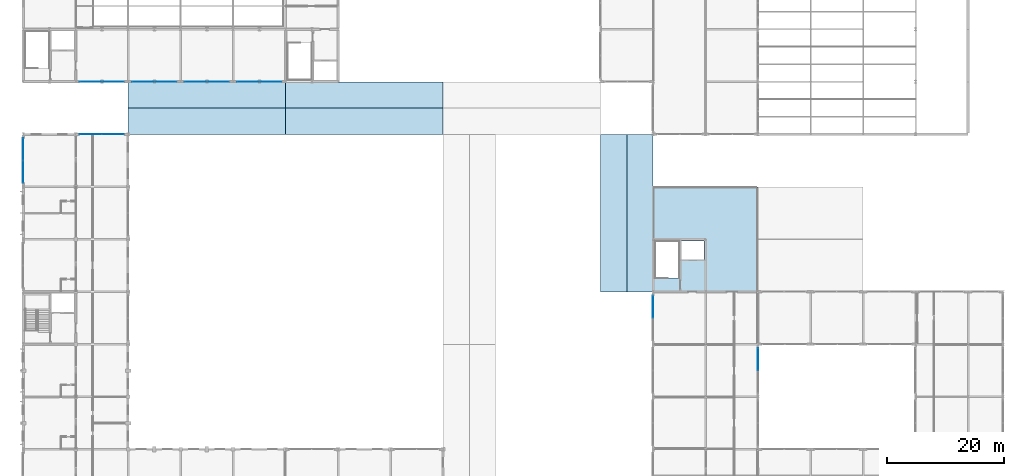
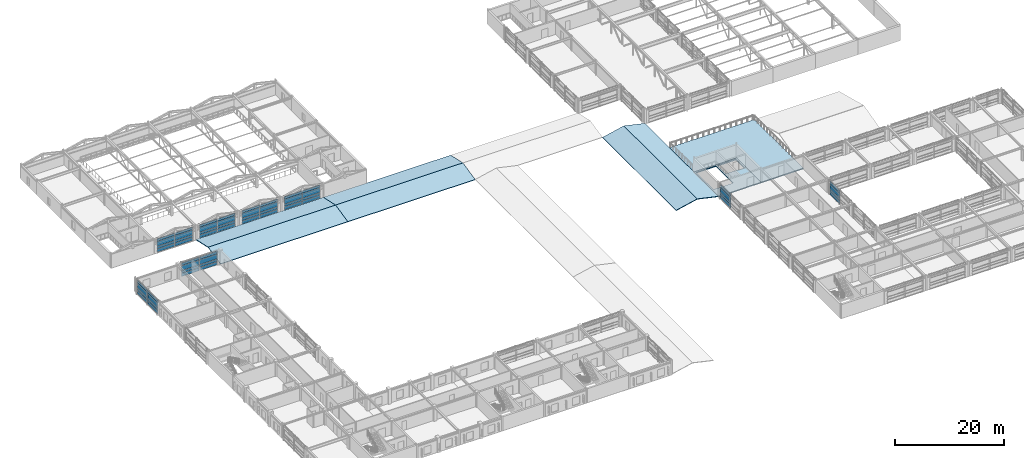
# One storey, part 64 of 91: 56 plates, 8 slabs, 8 elements without a shape of their own.
"""IFC4 building model written with IfcOpenShell, lengths in metres."""

import ifcopenshell
import ifcopenshell.guid

model = None  # the IFC model being written
_history = None  # IfcOwnerHistory: only IFC2X3 demands one
_inside = {}  # id of a spatial element -> (the spatial element, [elements in it])
_under = {}  # id of a project, library or spatial element -> (it, [spatial elements below it])
_declared = {}  # id of a project -> (the project, [libraries it declares])
_typed = {}  # id of a type object -> (the type object, [elements of that type])
_made_of = {}  # id of a material, layer set ... -> (it, [elements and type objects made of it])


def new_model(schema):
    """Start an empty IFC model of exactly this schema.

    Asked for "IFC4X3", IfcOpenShell would pick the latest addendum, in which some entities
    have other attributes; the version numbers below select the first issue.
    IFC2X3 requires an IfcOwnerHistory on every rooted entity: one is made here for all.
    """
    global model, _history
    if schema == "IFC4X3":
        model = ifcopenshell.file(schema_version=(4, 3, 0, 0))
    else:
        model = ifcopenshell.file(schema=schema)
    _inside.clear()
    _under.clear()
    _declared.clear()
    _typed.clear()
    _made_of.clear()
    _history = None
    if model.schema == "IFC2X3":
        org = make("IfcOrganization", Name="unknown")
        user = make(
            "IfcPersonAndOrganization",
            ThePerson=make("IfcPerson", FamilyName="unknown"),
            TheOrganization=org,
        )
        app = make(
            "IfcApplication",
            ApplicationDeveloper=org,
            Version="unknown",
            ApplicationFullName="unknown",
            ApplicationIdentifier="unknown",
        )
        _history = make(
            "IfcOwnerHistory",
            OwningUser=user,
            OwningApplication=app,
            ChangeAction="ADDED",
            CreationDate=0,
        )
    return model


def make(cls, **values):
    """One entity of the class cls with the attributes given. An attribute that is None is left unset."""
    return model.create_entity(
        cls, **{name: value for name, value in values.items() if value is not None}
    )


def rooted(cls, **values):
    """An entity with a GlobalId (a new one), such as an element, a storey or a relation."""
    return make(cls, GlobalId=ifcopenshell.guid.new(), OwnerHistory=_history, **values)


def si_unit(unit_type, name, prefix=None):
    """IfcSIUnit, for example si_unit("LENGTHUNIT", "METRE", prefix="MILLI")."""
    return make("IfcSIUnit", UnitType=unit_type, Prefix=prefix, Name=name)


def assignment(units):
    """IfcUnitAssignment: the units of a project."""
    return None if units is None else make("IfcUnitAssignment", Units=units)


def point(xyz):
    """IfcCartesianPoint."""
    return None if xyz is None else make("IfcCartesianPoint", Coordinates=xyz)


def direction(xyz):
    """IfcDirection."""
    return None if xyz is None else make("IfcDirection", DirectionRatios=xyz)


def frame(location, z_axis=None, x_axis=None):
    """IfcAxis2Placement3D, a coordinate frame: its origin and axes. An axis left out is left unset."""
    return make(
        "IfcAxis2Placement3D",
        Location=point(location),
        Axis=direction(z_axis),
        RefDirection=direction(x_axis),
    )


def frame_2d(location, x_axis=None):
    """IfcAxis2Placement2D, a coordinate frame in the plane: its origin and x axis."""
    return make(
        "IfcAxis2Placement2D", Location=point(location), RefDirection=direction(x_axis)
    )


def origin():
    """The frame at (0, 0, 0) with its axes left unset."""
    return frame((0.0, 0.0, 0.0))


def origin_2d():
    """The frame at (0, 0) in the plane with its x axis left unset."""
    return frame_2d((0.0, 0.0))


def place(relative_to, where):
    """IfcLocalPlacement: puts the frame where relative to a parent placement (None: the world)."""
    return make(
        "IfcLocalPlacement", PlacementRelTo=relative_to, RelativePlacement=where
    )


def context(
    kind, dimensions, precision=None, world=None, true_north=None, identifier=None
):
    """IfcGeometricRepresentationContext, for example the 3D "Model" context."""
    return make(
        "IfcGeometricRepresentationContext",
        ContextIdentifier=identifier,
        ContextType=kind,
        CoordinateSpaceDimension=dimensions,
        Precision=precision,
        WorldCoordinateSystem=world,
        TrueNorth=true_north,
    )


def subcontext(parent, identifier, kind, view, scale=None):
    """IfcGeometricRepresentationSubContext, for example "Body" below "Model"."""
    return make(
        "IfcGeometricRepresentationSubContext",
        ContextIdentifier=identifier,
        ContextType=kind,
        ParentContext=parent,
        TargetScale=scale,
        TargetView=view,
    )


def project(units=None, contexts=None):
    """IfcProject with its units and contexts."""
    return rooted(
        "IfcProject",
        Name="project",
        RepresentationContexts=contexts,
        UnitsInContext=assignment(units),
    )


def spatial(cls, under=None, at=None, **own):
    """A site, building, storey or space (cls), placed at a placement, below another one or the project."""
    s = rooted(cls, ObjectPlacement=at, **own)
    if under is not None:
        _under.setdefault(under.id(), (under, []))[1].append(s)
    return s


def polyline(points):
    """IfcPolyline through the points."""
    return make("IfcPolyline", Points=[point(p) for p in points])


def profile(cls, at=None, kind="AREA", **sizes):
    """A parametric profile (cls). Its sizes go by their IFC names, for example OverallWidth=200.0."""
    return make(cls, ProfileType=kind, Position=at, **sizes)


def rectangle(**sizes):
    """IfcRectangleProfileDef."""
    return profile("IfcRectangleProfileDef", **sizes)


def outline(outer, holes=None, kind="AREA"):
    """IfcArbitraryClosedProfileDef: a profile drawn as a closed curve; with holes, ...WithVoids."""
    if holes is None:
        return make("IfcArbitraryClosedProfileDef", ProfileType=kind, OuterCurve=outer)
    return make(
        "IfcArbitraryProfileDefWithVoids",
        ProfileType=kind,
        OuterCurve=outer,
        InnerCurves=holes,
    )


def extrude(swept, where, along, depth):
    """IfcExtrudedAreaSolid: the profile swept, set in the frame where, extruded along a direction by depth."""
    return make(
        "IfcExtrudedAreaSolid",
        SweptArea=swept,
        Position=where,
        ExtrudedDirection=direction(along),
        Depth=depth,
    )


def shape(context_of_items, identifier, shape_type, items):
    """IfcShapeRepresentation: the items that make up one representation, for example the "Body"."""
    return make(
        "IfcShapeRepresentation",
        ContextOfItems=context_of_items,
        RepresentationIdentifier=identifier,
        RepresentationType=shape_type,
        Items=items,
    )


def material(Name=None, Category=None):
    """IfcMaterial."""
    return make("IfcMaterial", Name=Name, Category=Category)


def layer(
    of_material, thickness, ventilated=None, Name=None, Category=None, Priority=None
):
    """IfcMaterialLayer: one layer of a wall or slab, of a material (None: an air gap)."""
    return make(
        "IfcMaterialLayer",
        Material=of_material,
        LayerThickness=thickness,
        IsVentilated=ventilated,
        Name=Name,
        Category=Category,
        Priority=Priority,
    )


def layer_set(layers, Name=None):
    """IfcMaterialLayerSet."""
    return make("IfcMaterialLayerSet", MaterialLayers=layers, LayerSetName=Name)


def made_of(thing, what):
    """Note that an element or type object is made of a material, layer set ...; save() writes the relation."""
    if what is not None:
        _made_of.setdefault(what.id(), (what, []))[1].append(thing)
    return thing


def type_object(cls, material=None, **own):
    """A type object (cls), such as IfcWallType, which elements share."""
    return made_of(rooted(cls, **own), material)


def element(
    cls,
    number,
    at=None,
    inside=None,
    cuts=None,
    type_object=None,
    material=None,
    context=None,
    identifier="Body",
    shape_type=None,
    held_by="IfcProductDefinitionShape",
    body=None,
    shapes=None,
    **own,
):
    """One element of the class cls, such as IfcWall. Its Tag is "e" and its number.

    at: its placement. inside: the storey or other place that contains it. cuts: it is an
    opening in that element (IfcRelVoidsElement). A single representation is given by context,
    identifier, shape_type and body (its items); several are given by shapes. held_by: the class
    of the entity that holds the representations. save() writes the other relations.
    """
    e = rooted(cls, Tag="e%d" % number, ObjectPlacement=at, **own)
    if body is not None:
        shapes = [shape(context, identifier, shape_type, body)]
    if shapes is not None:
        e.Representation = make(held_by, Representations=shapes)
    if inside is not None:
        _inside.setdefault(inside.id(), (inside, []))[1].append(e)
    if cuts is not None:
        rooted(
            "IfcRelVoidsElement", RelatingBuildingElement=cuts, RelatedOpeningElement=e
        )
    if type_object is not None:
        _typed.setdefault(type_object.id(), (type_object, []))[1].append(e)
    return made_of(e, material)


def aggregate(whole, parts):
    """IfcRelAggregates: a whole, such as a stair, and the parts it consists of."""
    return rooted("IfcRelAggregates", RelatingObject=whole, RelatedObjects=parts)


def save(model, path):
    """Write the relations noted so far, then the file.

    IfcRelAggregates (storeys below a building ...), IfcRelContainedInSpatialStructure (elements
    in a storey), IfcRelDefinesByType, IfcRelAssociatesMaterial and IfcRelDeclares: one each for
    every whole, place, type object, material and project.
    """
    for whole, parts in _under.values():
        aggregate(whole, parts)
    for where, things in _inside.values():
        rooted(
            "IfcRelContainedInSpatialStructure",
            RelatedElements=things,
            RelatingStructure=where,
        )
    for kind, things in _typed.values():
        rooted("IfcRelDefinesByType", RelatedObjects=things, RelatingType=kind)
    for what, things in _made_of.values():
        rooted("IfcRelAssociatesMaterial", RelatedObjects=things, RelatingMaterial=what)
    for by, libraries in _declared.values():
        rooted("IfcRelDeclares", RelatingContext=by, RelatedDefinitions=libraries)
    model.write(path)


model = new_model("IFC4")

# Units and contexts
model_context = context("Model", 3, precision=1e-05, world=origin(), true_north=direction((0.0, 1.0)))
body_context = subcontext(model_context, "Body", "Model", "MODEL_VIEW")
ifc_project = project(units=[si_unit("LENGTHUNIT", "METRE"), si_unit("AREAUNIT", "SQUARE_METRE"), si_unit("VOLUMEUNIT", "CUBIC_METRE"), si_unit("PLANEANGLEUNIT", "RADIAN"), si_unit("MASSUNIT", "GRAM", prefix="KILO")], contexts=[model_context])

# Site, building, storey
site_placement = place(None, origin())
site = spatial("IfcSite", under=ifc_project, at=site_placement, CompositionType="ELEMENT")
building_placement = place(site_placement, origin())
building = spatial("IfcBuilding", under=site, at=building_placement, Name="Palais des Congres Ocreval", CompositionType="ELEMENT")
storey_placement = place(building_placement, frame((0.0, 0.0, 8.159912109375)))
storey = spatial("IfcBuildingStorey", under=building, at=storey_placement, Name="L02", CompositionType="ELEMENT", Elevation=8.159912109375)

# Curtain wall, plates
ifc_material_1 = material(Name="Anodized bronze aluminium and low-E glass", Category="glass")
curtain_wall_type = type_object("IfcCurtainWallType", Name="Unitised Curtain Wall 7900x3120", PredefinedType="USERDEFINED", material=ifc_material_1)
curtain_wall_1_placement = place(storey_placement, origin())
curtain_wall_1 = element("IfcCurtainWall", 1, at=curtain_wall_1_placement, inside=storey, type_object=curtain_wall_type, Name="Unitised Curtain Wall CW03 L02", ObjectType="UNITISED CURTAIN WALL", PredefinedType="USERDEFINED")
ifc_material_2 = material(Name="Acoustic triple glazing", Category="glass")
ifc_layer_1 = layer(ifc_material_2, 0.0439453125)
ifc_layer_set_1 = layer_set([ifc_layer_1], Name="Acoustic Laminated Glazing Panel 44 (Acoustic triple glazing)")
plate_type_1 = type_object("IfcPlateType", Name="Acoustic Laminated Glazing Panel 44", PredefinedType="CURTAIN_PANEL", material=ifc_layer_set_1)
plate_1_placement = place(storey_placement, frame((11.59375, 72.0, 0.06005859375), z_axis=(0.0, 0.0, 1.0), x_axis=(1.0, 0.0, 0.0)))
plate_1 = element("IfcPlate", 2, at=plate_1_placement, type_object=plate_type_1, Name="Vision Glazing Panel VP02", PredefinedType="CURTAIN_PANEL", context=body_context, shape_type="SweptSolid", body=[
    extrude(rectangle(XDim=3.737548828125, YDim=0.0439453125, at=origin_2d()), origin(), (0.0, 0.0, 1.0), 0.68994140625),
])
plate_2_placement = place(storey_placement, frame((11.59375, 72.0, 0.81005859375), z_axis=(0.0, 0.0, 1.0), x_axis=(1.0, 0.0, 0.0)))
plate_2 = element("IfcPlate", 3, at=plate_2_placement, type_object=plate_type_1, Name="Vision Glazing Panel VP02", PredefinedType="CURTAIN_PANEL", context=body_context, shape_type="SweptSolid", body=[
    extrude(rectangle(XDim=3.737548828125, YDim=0.0439453125, at=origin_2d()), origin(), (0.0, 0.0, 1.0), 0.529541015625),
])
plate_3_placement = place(storey_placement, frame((11.59375, 72.0, 1.399658203125), z_axis=(0.0, 0.0, 1.0), x_axis=(1.0, 0.0, 0.0)))
plate_3 = element("IfcPlate", 4, at=plate_3_placement, type_object=plate_type_1, Name="Vision Glazing Panel VP02", PredefinedType="CURTAIN_PANEL", context=body_context, shape_type="SweptSolid", body=[
    extrude(rectangle(XDim=3.737548828125, YDim=0.0439453125, at=origin_2d()), origin(), (0.0, 0.0, 1.0), 1.060546875),
])
plate_4_placement = place(storey_placement, frame((15.40625, 72.0, 0.06005859375), z_axis=(0.0, 0.0, 1.0), x_axis=(1.0, 0.0, 0.0)))
plate_4 = element("IfcPlate", 5, at=plate_4_placement, type_object=plate_type_1, Name="Vision Glazing Panel VP02", PredefinedType="CURTAIN_PANEL", context=body_context, shape_type="SweptSolid", body=[
    extrude(rectangle(XDim=3.737548828125, YDim=0.0439453125, at=origin_2d()), origin(), (0.0, 0.0, 1.0), 0.68994140625),
])
plate_5_placement = place(storey_placement, frame((15.40625, 72.0, 0.81005859375), z_axis=(0.0, 0.0, 1.0), x_axis=(1.0, 0.0, 0.0)))
plate_5 = element("IfcPlate", 6, at=plate_5_placement, type_object=plate_type_1, Name="Vision Glazing Panel VP02", PredefinedType="CURTAIN_PANEL", context=body_context, shape_type="SweptSolid", body=[
    extrude(rectangle(XDim=3.737548828125, YDim=0.0439453125, at=origin_2d()), origin(), (0.0, 0.0, 1.0), 0.529541015625),
])
plate_6_placement = place(storey_placement, frame((15.40625, 72.0, 1.399658203125), z_axis=(0.0, 0.0, 1.0), x_axis=(1.0, 0.0, 0.0)))
plate_6 = element("IfcPlate", 7, at=plate_6_placement, type_object=plate_type_1, Name="Vision Glazing Panel VP02", PredefinedType="CURTAIN_PANEL", context=body_context, shape_type="SweptSolid", body=[
    extrude(rectangle(XDim=3.737548828125, YDim=0.0439453125, at=origin_2d()), origin(), (0.0, 0.0, 1.0), 1.060546875),
])

curtain_wall_2_placement = place(storey_placement, origin())
curtain_wall_2 = element("IfcCurtainWall", 8, at=curtain_wall_2_placement, inside=storey, type_object=curtain_wall_type, Name="Unitised Curtain Wall CW03 L02", ObjectType="UNITISED CURTAIN WALL", PredefinedType="USERDEFINED")
plate_7_placement = place(storey_placement, frame((108.0, 42.40625, 0.06005859375), z_axis=(0.0, 0.0, 1.0), x_axis=(0.0, 1.0, 0.0)))
plate_7 = element("IfcPlate", 9, at=plate_7_placement, type_object=plate_type_1, Name="Vision Glazing Panel VP02", PredefinedType="CURTAIN_PANEL", context=body_context, shape_type="SweptSolid", body=[
    extrude(rectangle(XDim=3.737548828125, YDim=0.0439453125, at=origin_2d()), origin(), (0.0, 0.0, 1.0), 0.68994140625),
])
plate_8_placement = place(storey_placement, frame((108.0, 42.40625, 0.81005859375), z_axis=(0.0, 0.0, 1.0), x_axis=(0.0, 1.0, 0.0)))
plate_8 = element("IfcPlate", 10, at=plate_8_placement, type_object=plate_type_1, Name="Vision Glazing Panel VP02", PredefinedType="CURTAIN_PANEL", context=body_context, shape_type="SweptSolid", body=[
    extrude(rectangle(XDim=3.737548828125, YDim=0.0439453125, at=origin_2d()), origin(), (0.0, 0.0, 1.0), 0.512939453125),
])
plate_9_placement = place(storey_placement, frame((108.0, 42.40625, 1.3828125), z_axis=(0.0, 0.0, 1.0), x_axis=(0.0, 1.0, 0.0)))
plate_9 = element("IfcPlate", 11, at=plate_9_placement, type_object=plate_type_1, Name="Vision Glazing Panel VP02", PredefinedType="CURTAIN_PANEL", context=body_context, shape_type="SweptSolid", body=[
    extrude(rectangle(XDim=3.737548828125, YDim=0.0439453125, at=origin_2d()), origin(), (0.0, 0.0, 1.0), 1.047119140625),
])

curtain_wall_3_placement = place(storey_placement, origin())
curtain_wall_3 = element("IfcCurtainWall", 12, at=curtain_wall_3_placement, inside=storey, type_object=curtain_wall_type, Name="Unitised Curtain Wall CW03 L02", ObjectType="UNITISED CURTAIN WALL", PredefinedType="USERDEFINED")
plate_10_placement = place(storey_placement, frame((33.40625, 81.0, 0.06005859375), z_axis=(0.0, 0.0, 1.0), x_axis=(-1.0, 0.0, 0.0)))
plate_10 = element("IfcPlate", 13, at=plate_10_placement, type_object=plate_type_1, Name="Vision Glazing Panel VP02", PredefinedType="CURTAIN_PANEL", context=body_context, shape_type="SweptSolid", body=[
    extrude(rectangle(XDim=3.737548828125, YDim=0.0439453125, at=origin_2d()), origin(), (0.0, 0.0, 1.0), 0.68994140625),
])
plate_11_placement = place(storey_placement, frame((33.40625, 81.0, 0.81005859375), z_axis=(0.0, 0.0, 1.0), x_axis=(-1.0, 0.0, 0.0)))
plate_11 = element("IfcPlate", 14, at=plate_11_placement, type_object=plate_type_1, Name="Vision Glazing Panel VP02", PredefinedType="CURTAIN_PANEL", context=body_context, shape_type="SweptSolid", body=[
    extrude(rectangle(XDim=3.737548828125, YDim=0.0439453125, at=origin_2d()), origin(), (0.0, 0.0, 1.0), 0.512939453125),
])
plate_12_placement = place(storey_placement, frame((33.40625, 81.0, 1.3828125), z_axis=(0.0, 0.0, 1.0), x_axis=(-1.0, 0.0, 0.0)))
plate_12 = element("IfcPlate", 15, at=plate_12_placement, type_object=plate_type_1, Name="Vision Glazing Panel VP02", PredefinedType="CURTAIN_PANEL", context=body_context, shape_type="SweptSolid", body=[
    extrude(rectangle(XDim=3.737548828125, YDim=0.0439453125, at=origin_2d()), origin(), (0.0, 0.0, 1.0), 1.047119140625),
])
plate_13_placement = place(storey_placement, frame((29.59375, 81.0, 0.06005859375), z_axis=(0.0, 0.0, 1.0), x_axis=(-1.0, 0.0, 0.0)))
plate_13 = element("IfcPlate", 16, at=plate_13_placement, type_object=plate_type_1, Name="Vision Glazing Panel VP02", PredefinedType="CURTAIN_PANEL", context=body_context, shape_type="SweptSolid", body=[
    extrude(rectangle(XDim=3.737548828125, YDim=0.0439453125, at=origin_2d()), origin(), (0.0, 0.0, 1.0), 0.68994140625),
])
plate_14_placement = place(storey_placement, frame((29.59375, 81.0, 0.81005859375), z_axis=(0.0, 0.0, 1.0), x_axis=(-1.0, 0.0, 0.0)))
plate_14 = element("IfcPlate", 17, at=plate_14_placement, type_object=plate_type_1, Name="Vision Glazing Panel VP02", PredefinedType="CURTAIN_PANEL", context=body_context, shape_type="SweptSolid", body=[
    extrude(rectangle(XDim=3.737548828125, YDim=0.0439453125, at=origin_2d()), origin(), (0.0, 0.0, 1.0), 0.512939453125),
])
plate_15_placement = place(storey_placement, frame((29.59375, 81.0, 1.3828125), z_axis=(0.0, 0.0, 1.0), x_axis=(-1.0, 0.0, 0.0)))
plate_15 = element("IfcPlate", 18, at=plate_15_placement, type_object=plate_type_1, Name="Vision Glazing Panel VP02", PredefinedType="CURTAIN_PANEL", context=body_context, shape_type="SweptSolid", body=[
    extrude(rectangle(XDim=3.737548828125, YDim=0.0439453125, at=origin_2d()), origin(), (0.0, 0.0, 1.0), 1.047119140625),
])

# Plate
ifc_material_3 = material(Name="Anodized bronze aluminium", Category="aluminium")
ifc_layer_2 = layer(ifc_material_3, 0.06005859375)
ifc_layer_set_2 = layer_set([ifc_layer_2], Name="Anodized Bronze Spandrel Cassette 60 (Anodized bronze aluminium)")
plate_type_2 = type_object("IfcPlateType", Name="Anodized Bronze Spandrel Cassette 60", PredefinedType="SHEET", material=ifc_layer_set_2)
plate_16_placement = place(storey_placement, frame((11.59375, 72.0, 2.52001953125), z_axis=(0.0, 0.0, 1.0), x_axis=(1.0, 0.0, 0.0)))
plate_16 = element("IfcPlate", 19, at=plate_16_placement, type_object=plate_type_2, Name="Spandrel Sheet SPN1", PredefinedType="SHEET", context=body_context, shape_type="SweptSolid", body=[
    extrude(rectangle(XDim=3.737548828125, YDim=0.06005859375, at=origin_2d()), origin(), (0.0, 0.0, 1.0), 0.56005859375),
])

plate_17_placement = place(storey_placement, frame((15.40625, 72.0, 2.52001953125), z_axis=(0.0, 0.0, 1.0), x_axis=(1.0, 0.0, 0.0)))
plate_17 = element("IfcPlate", 20, at=plate_17_placement, type_object=plate_type_2, Name="Spandrel Sheet SPN1", PredefinedType="SHEET", context=body_context, shape_type="SweptSolid", body=[
    extrude(rectangle(XDim=3.737548828125, YDim=0.06005859375, at=origin_2d()), origin(), (0.0, 0.0, 1.0), 0.56005859375),
])

aggregate(curtain_wall_1, [plate_1, plate_2, plate_3, plate_16, plate_4, plate_5, plate_6, plate_17])

plate_18_placement = place(storey_placement, frame((108.0, 42.40625, 2.489990234375), z_axis=(0.0, 0.0, 1.0), x_axis=(0.0, 1.0, 0.0)))
plate_18 = element("IfcPlate", 21, at=plate_18_placement, type_object=plate_type_2, Name="Spandrel Sheet SPN1", PredefinedType="SHEET", context=body_context, shape_type="SweptSolid", body=[
    extrude(rectangle(XDim=3.737548828125, YDim=0.06005859375, at=origin_2d()), origin(), (0.0, 0.0, 1.0), 0.56005859375),
])

aggregate(curtain_wall_2, [plate_7, plate_8, plate_9, plate_18])

# Curtain wall, plate
curtain_wall_4_placement = place(storey_placement, origin())
curtain_wall_4 = element("IfcCurtainWall", 22, at=curtain_wall_4_placement, inside=storey, type_object=curtain_wall_type, Name="Unitised Curtain Wall CW03 L02", ObjectType="UNITISED CURTAIN WALL", PredefinedType="USERDEFINED")
plate_19_placement = place(storey_placement, frame((126.0, 33.40625, 2.489990234375), z_axis=(0.0, 0.0, 1.0), x_axis=(0.0, -1.0, 0.0)))
plate_19 = element("IfcPlate", 23, at=plate_19_placement, type_object=plate_type_2, Name="Spandrel Sheet SPN1", PredefinedType="SHEET", context=body_context, shape_type="SweptSolid", body=[
    extrude(rectangle(XDim=3.737548828125, YDim=0.06005859375, at=origin_2d()), origin(), (0.0, 0.0, 1.0), 0.56005859375),
])

# Plate
plate_20_placement = place(storey_placement, frame((33.40625, 81.0, 2.489990234375), z_axis=(0.0, 0.0, 1.0), x_axis=(-1.0, 0.0, 0.0)))
plate_20 = element("IfcPlate", 24, at=plate_20_placement, type_object=plate_type_2, Name="Spandrel Sheet SPN1", PredefinedType="SHEET", context=body_context, shape_type="SweptSolid", body=[
    extrude(rectangle(XDim=3.737548828125, YDim=0.06005859375, at=origin_2d()), origin(), (0.0, 0.0, 1.0), 0.56005859375),
])

plate_21_placement = place(storey_placement, frame((29.59375, 81.0, 2.489990234375), z_axis=(0.0, 0.0, 1.0), x_axis=(-1.0, 0.0, 0.0)))
plate_21 = element("IfcPlate", 25, at=plate_21_placement, type_object=plate_type_2, Name="Spandrel Sheet SPN1", PredefinedType="SHEET", context=body_context, shape_type="SweptSolid", body=[
    extrude(rectangle(XDim=3.737548828125, YDim=0.06005859375, at=origin_2d()), origin(), (0.0, 0.0, 1.0), 0.56005859375),
])

aggregate(curtain_wall_3, [plate_10, plate_11, plate_12, plate_20, plate_13, plate_14, plate_15, plate_21])

# Curtain wall, plates
curtain_wall_5_placement = place(storey_placement, origin())
curtain_wall_5 = element("IfcCurtainWall", 26, at=curtain_wall_5_placement, inside=storey, type_object=curtain_wall_type, Name="Unitised Curtain Wall CW03 L02", ObjectType="UNITISED CURTAIN WALL", PredefinedType="USERDEFINED")
plate_22_placement = place(storey_placement, frame((15.40625, 81.0, 2.489990234375), z_axis=(0.0, 0.0, 1.0), x_axis=(-1.0, 0.0, 0.0)))
plate_22 = element("IfcPlate", 27, at=plate_22_placement, type_object=plate_type_2, Name="Spandrel Sheet SPN1", PredefinedType="SHEET", context=body_context, shape_type="SweptSolid", body=[
    extrude(rectangle(XDim=3.737548828125, YDim=0.06005859375, at=origin_2d()), origin(), (0.0, 0.0, 1.0), 0.56005859375),
])
plate_23_placement = place(storey_placement, frame((11.59375, 81.0, 2.489990234375), z_axis=(0.0, 0.0, 1.0), x_axis=(-1.0, 0.0, 0.0)))
plate_23 = element("IfcPlate", 28, at=plate_23_placement, type_object=plate_type_2, Name="Spandrel Sheet SPN1", PredefinedType="SHEET", context=body_context, shape_type="SweptSolid", body=[
    extrude(rectangle(XDim=3.737548828125, YDim=0.06005859375, at=origin_2d()), origin(), (0.0, 0.0, 1.0), 0.56005859375),
])

# Plate
ifc_material_4 = material(Name="Low-E solar-control double glazing", Category="glass")
ifc_layer_3 = layer(ifc_material_4, 0.031982421875)
ifc_layer_set_3 = layer_set([ifc_layer_3], Name="Galleria Clear Vision Panel 32 (Low-E solar-control double glazing)")
plate_type_3 = type_object("IfcPlateType", Name="Galleria Clear Vision Panel 32", PredefinedType="CURTAIN_PANEL", material=ifc_layer_set_3)
plate_24_placement = place(storey_placement, frame((126.0, 33.40625, 0.06005859375), z_axis=(0.0, 0.0, 1.0), x_axis=(0.0, -1.0, 0.0)))
plate_24 = element("IfcPlate", 29, at=plate_24_placement, type_object=plate_type_3, Name="Vision Glazing Panel VP03", PredefinedType="CURTAIN_PANEL", context=body_context, shape_type="SweptSolid", body=[
    extrude(rectangle(XDim=3.737548828125, YDim=0.031982421875, at=origin_2d()), origin(), (0.0, 0.0, 1.0), 0.68994140625),
])

plate_25_placement = place(storey_placement, frame((126.0, 33.40625, 0.81005859375), z_axis=(0.0, 0.0, 1.0), x_axis=(0.0, -1.0, 0.0)))
plate_25 = element("IfcPlate", 30, at=plate_25_placement, type_object=plate_type_3, Name="Vision Glazing Panel VP03", PredefinedType="CURTAIN_PANEL", context=body_context, shape_type="SweptSolid", body=[
    extrude(rectangle(XDim=3.737548828125, YDim=0.031982421875, at=origin_2d()), origin(), (0.0, 0.0, 1.0), 0.512939453125),
])

plate_26_placement = place(storey_placement, frame((126.0, 33.40625, 1.3828125), z_axis=(0.0, 0.0, 1.0), x_axis=(0.0, -1.0, 0.0)))
plate_26 = element("IfcPlate", 31, at=plate_26_placement, type_object=plate_type_3, Name="Vision Glazing Panel VP03", PredefinedType="CURTAIN_PANEL", context=body_context, shape_type="SweptSolid", body=[
    extrude(rectangle(XDim=3.737548828125, YDim=0.031982421875, at=origin_2d()), origin(), (0.0, 0.0, 1.0), 1.047119140625),
])

aggregate(curtain_wall_4, [plate_24, plate_25, plate_26, plate_19])

# Curtain wall, plates
curtain_wall_6_placement = place(storey_placement, origin())
curtain_wall_6 = element("IfcCurtainWall", 32, at=curtain_wall_6_placement, inside=storey, type_object=curtain_wall_type, Name="Unitised Curtain Wall CW03 L02", ObjectType="UNITISED CURTAIN WALL", PredefinedType="USERDEFINED")
plate_27_placement = place(storey_placement, frame((24.40625, 81.0, 0.06005859375), z_axis=(0.0, 0.0, 1.0), x_axis=(-1.0, 0.0, 0.0)))
plate_27 = element("IfcPlate", 33, at=plate_27_placement, type_object=plate_type_3, Name="Vision Glazing Panel VP03", PredefinedType="CURTAIN_PANEL", context=body_context, shape_type="SweptSolid", body=[
    extrude(rectangle(XDim=3.737548828125, YDim=0.031982421875, at=origin_2d()), origin(), (0.0, 0.0, 1.0), 0.68994140625),
])
plate_28_placement = place(storey_placement, frame((24.40625, 81.0, 0.81005859375), z_axis=(0.0, 0.0, 1.0), x_axis=(-1.0, 0.0, 0.0)))
plate_28 = element("IfcPlate", 34, at=plate_28_placement, type_object=plate_type_3, Name="Vision Glazing Panel VP03", PredefinedType="CURTAIN_PANEL", context=body_context, shape_type="SweptSolid", body=[
    extrude(rectangle(XDim=3.737548828125, YDim=0.031982421875, at=origin_2d()), origin(), (0.0, 0.0, 1.0), 0.512939453125),
])
plate_29_placement = place(storey_placement, frame((24.40625, 81.0, 1.3828125), z_axis=(0.0, 0.0, 1.0), x_axis=(-1.0, 0.0, 0.0)))
plate_29 = element("IfcPlate", 35, at=plate_29_placement, type_object=plate_type_3, Name="Vision Glazing Panel VP03", PredefinedType="CURTAIN_PANEL", context=body_context, shape_type="SweptSolid", body=[
    extrude(rectangle(XDim=3.737548828125, YDim=0.031982421875, at=origin_2d()), origin(), (0.0, 0.0, 1.0), 1.047119140625),
])
plate_30_placement = place(storey_placement, frame((20.59375, 81.0, 0.06005859375), z_axis=(0.0, 0.0, 1.0), x_axis=(-1.0, 0.0, 0.0)))
plate_30 = element("IfcPlate", 36, at=plate_30_placement, type_object=plate_type_3, Name="Vision Glazing Panel VP03", PredefinedType="CURTAIN_PANEL", context=body_context, shape_type="SweptSolid", body=[
    extrude(rectangle(XDim=3.737548828125, YDim=0.031982421875, at=origin_2d()), origin(), (0.0, 0.0, 1.0), 0.68994140625),
])
plate_31_placement = place(storey_placement, frame((20.59375, 81.0, 0.81005859375), z_axis=(0.0, 0.0, 1.0), x_axis=(-1.0, 0.0, 0.0)))
plate_31 = element("IfcPlate", 37, at=plate_31_placement, type_object=plate_type_3, Name="Vision Glazing Panel VP03", PredefinedType="CURTAIN_PANEL", context=body_context, shape_type="SweptSolid", body=[
    extrude(rectangle(XDim=3.737548828125, YDim=0.031982421875, at=origin_2d()), origin(), (0.0, 0.0, 1.0), 0.512939453125),
])
plate_32_placement = place(storey_placement, frame((20.59375, 81.0, 1.3828125), z_axis=(0.0, 0.0, 1.0), x_axis=(-1.0, 0.0, 0.0)))
plate_32 = element("IfcPlate", 38, at=plate_32_placement, type_object=plate_type_3, Name="Vision Glazing Panel VP03", PredefinedType="CURTAIN_PANEL", context=body_context, shape_type="SweptSolid", body=[
    extrude(rectangle(XDim=3.737548828125, YDim=0.031982421875, at=origin_2d()), origin(), (0.0, 0.0, 1.0), 1.047119140625),
])

curtain_wall_7_placement = place(storey_placement, origin())
curtain_wall_7 = element("IfcCurtainWall", 39, at=curtain_wall_7_placement, inside=storey, type_object=curtain_wall_type, Name="Unitised Curtain Wall CW03 L02", ObjectType="UNITISED CURTAIN WALL", PredefinedType="USERDEFINED")
ifc_layer_4 = layer(ifc_material_4, 0.035888671875)
ifc_layer_set_4 = layer_set([ifc_layer_4], Name="Low-E Vision Glazing Panel 36 (Low-E solar-control double glazing)")
plate_type_4 = type_object("IfcPlateType", Name="Low-E Vision Glazing Panel 36", PredefinedType="CURTAIN_PANEL", material=ifc_layer_set_4)
plate_33_placement = place(storey_placement, frame((0.0, 65.59375, 0.06005859375), z_axis=(0.0, 0.0, 1.0), x_axis=(0.0, 1.0, 0.0)))
plate_33 = element("IfcPlate", 40, at=plate_33_placement, type_object=plate_type_4, Name="Vision Glazing Panel VP01", PredefinedType="CURTAIN_PANEL", context=body_context, shape_type="SweptSolid", body=[
    extrude(rectangle(XDim=3.737548828125, YDim=0.035888671875, at=origin_2d()), origin(), (0.0, 0.0, 1.0), 0.68994140625),
])
plate_34_placement = place(storey_placement, frame((0.0, 65.59375, 0.81005859375), z_axis=(0.0, 0.0, 1.0), x_axis=(0.0, 1.0, 0.0)))
plate_34 = element("IfcPlate", 41, at=plate_34_placement, type_object=plate_type_4, Name="Vision Glazing Panel VP01", PredefinedType="CURTAIN_PANEL", context=body_context, shape_type="SweptSolid", body=[
    extrude(rectangle(XDim=3.737548828125, YDim=0.035888671875, at=origin_2d()), origin(), (0.0, 0.0, 1.0), 0.529541015625),
])
plate_35_placement = place(storey_placement, frame((0.0, 65.59375, 1.399658203125), z_axis=(0.0, 0.0, 1.0), x_axis=(0.0, 1.0, 0.0)))
plate_35 = element("IfcPlate", 42, at=plate_35_placement, type_object=plate_type_4, Name="Vision Glazing Panel VP01", PredefinedType="CURTAIN_PANEL", context=body_context, shape_type="SweptSolid", body=[
    extrude(rectangle(XDim=3.737548828125, YDim=0.035888671875, at=origin_2d()), origin(), (0.0, 0.0, 1.0), 1.060546875),
])
plate_36_placement = place(storey_placement, frame((0.0, 69.40625, 0.06005859375), z_axis=(0.0, 0.0, 1.0), x_axis=(0.0, 1.0, 0.0)))
plate_36 = element("IfcPlate", 43, at=plate_36_placement, type_object=plate_type_4, Name="Vision Glazing Panel VP01", PredefinedType="CURTAIN_PANEL", context=body_context, shape_type="SweptSolid", body=[
    extrude(rectangle(XDim=3.737548828125, YDim=0.035888671875, at=origin_2d()), origin(), (0.0, 0.0, 1.0), 0.68994140625),
])
plate_37_placement = place(storey_placement, frame((0.0, 69.40625, 0.81005859375), z_axis=(0.0, 0.0, 1.0), x_axis=(0.0, 1.0, 0.0)))
plate_37 = element("IfcPlate", 44, at=plate_37_placement, type_object=plate_type_4, Name="Vision Glazing Panel VP01", PredefinedType="CURTAIN_PANEL", context=body_context, shape_type="SweptSolid", body=[
    extrude(rectangle(XDim=3.737548828125, YDim=0.035888671875, at=origin_2d()), origin(), (0.0, 0.0, 1.0), 0.529541015625),
])
plate_38_placement = place(storey_placement, frame((0.0, 69.40625, 1.399658203125), z_axis=(0.0, 0.0, 1.0), x_axis=(0.0, 1.0, 0.0)))
plate_38 = element("IfcPlate", 45, at=plate_38_placement, type_object=plate_type_4, Name="Vision Glazing Panel VP01", PredefinedType="CURTAIN_PANEL", context=body_context, shape_type="SweptSolid", body=[
    extrude(rectangle(XDim=3.737548828125, YDim=0.035888671875, at=origin_2d()), origin(), (0.0, 0.0, 1.0), 1.060546875),
])

curtain_wall_8_placement = place(storey_placement, origin())
curtain_wall_8 = element("IfcCurtainWall", 46, at=curtain_wall_8_placement, inside=storey, type_object=curtain_wall_type, Name="Unitised Curtain Wall CW03 L02", ObjectType="UNITISED CURTAIN WALL", PredefinedType="USERDEFINED")
plate_39_placement = place(storey_placement, frame((42.40625, 81.0, 0.06005859375), z_axis=(0.0, 0.0, 1.0), x_axis=(-1.0, 0.0, 0.0)))
plate_39 = element("IfcPlate", 47, at=plate_39_placement, type_object=plate_type_4, Name="Vision Glazing Panel VP01", PredefinedType="CURTAIN_PANEL", context=body_context, shape_type="SweptSolid", body=[
    extrude(rectangle(XDim=3.737548828125, YDim=0.035888671875, at=origin_2d()), origin(), (0.0, 0.0, 1.0), 0.68994140625),
])
plate_40_placement = place(storey_placement, frame((42.40625, 81.0, 0.81005859375), z_axis=(0.0, 0.0, 1.0), x_axis=(-1.0, 0.0, 0.0)))
plate_40 = element("IfcPlate", 48, at=plate_40_placement, type_object=plate_type_4, Name="Vision Glazing Panel VP01", PredefinedType="CURTAIN_PANEL", context=body_context, shape_type="SweptSolid", body=[
    extrude(rectangle(XDim=3.737548828125, YDim=0.035888671875, at=origin_2d()), origin(), (0.0, 0.0, 1.0), 0.512939453125),
])
plate_41_placement = place(storey_placement, frame((42.40625, 81.0, 1.3828125), z_axis=(0.0, 0.0, 1.0), x_axis=(-1.0, 0.0, 0.0)))
plate_41 = element("IfcPlate", 49, at=plate_41_placement, type_object=plate_type_4, Name="Vision Glazing Panel VP01", PredefinedType="CURTAIN_PANEL", context=body_context, shape_type="SweptSolid", body=[
    extrude(rectangle(XDim=3.737548828125, YDim=0.035888671875, at=origin_2d()), origin(), (0.0, 0.0, 1.0), 1.047119140625),
])
plate_42_placement = place(storey_placement, frame((38.59375, 81.0, 0.06005859375), z_axis=(0.0, 0.0, 1.0), x_axis=(-1.0, 0.0, 0.0)))
plate_42 = element("IfcPlate", 50, at=plate_42_placement, type_object=plate_type_4, Name="Vision Glazing Panel VP01", PredefinedType="CURTAIN_PANEL", context=body_context, shape_type="SweptSolid", body=[
    extrude(rectangle(XDim=3.737548828125, YDim=0.035888671875, at=origin_2d()), origin(), (0.0, 0.0, 1.0), 0.68994140625),
])
plate_43_placement = place(storey_placement, frame((38.59375, 81.0, 0.81005859375), z_axis=(0.0, 0.0, 1.0), x_axis=(-1.0, 0.0, 0.0)))
plate_43 = element("IfcPlate", 51, at=plate_43_placement, type_object=plate_type_4, Name="Vision Glazing Panel VP01", PredefinedType="CURTAIN_PANEL", context=body_context, shape_type="SweptSolid", body=[
    extrude(rectangle(XDim=3.737548828125, YDim=0.035888671875, at=origin_2d()), origin(), (0.0, 0.0, 1.0), 0.512939453125),
])
plate_44_placement = place(storey_placement, frame((38.59375, 81.0, 1.3828125), z_axis=(0.0, 0.0, 1.0), x_axis=(-1.0, 0.0, 0.0)))
plate_44 = element("IfcPlate", 52, at=plate_44_placement, type_object=plate_type_4, Name="Vision Glazing Panel VP01", PredefinedType="CURTAIN_PANEL", context=body_context, shape_type="SweptSolid", body=[
    extrude(rectangle(XDim=3.737548828125, YDim=0.035888671875, at=origin_2d()), origin(), (0.0, 0.0, 1.0), 1.047119140625),
])

# Plate
plate_45_placement = place(storey_placement, frame((15.40625, 81.0, 0.06005859375), z_axis=(0.0, 0.0, 1.0), x_axis=(-1.0, 0.0, 0.0)))
plate_45 = element("IfcPlate", 53, at=plate_45_placement, type_object=plate_type_4, Name="Vision Glazing Panel VP01", PredefinedType="CURTAIN_PANEL", context=body_context, shape_type="SweptSolid", body=[
    extrude(rectangle(XDim=3.737548828125, YDim=0.035888671875, at=origin_2d()), origin(), (0.0, 0.0, 1.0), 0.68994140625),
])

plate_46_placement = place(storey_placement, frame((15.40625, 81.0, 0.81005859375), z_axis=(0.0, 0.0, 1.0), x_axis=(-1.0, 0.0, 0.0)))
plate_46 = element("IfcPlate", 54, at=plate_46_placement, type_object=plate_type_4, Name="Vision Glazing Panel VP01", PredefinedType="CURTAIN_PANEL", context=body_context, shape_type="SweptSolid", body=[
    extrude(rectangle(XDim=3.737548828125, YDim=0.035888671875, at=origin_2d()), origin(), (0.0, 0.0, 1.0), 0.512939453125),
])

plate_47_placement = place(storey_placement, frame((15.40625, 81.0, 1.3828125), z_axis=(0.0, 0.0, 1.0), x_axis=(-1.0, 0.0, 0.0)))
plate_47 = element("IfcPlate", 55, at=plate_47_placement, type_object=plate_type_4, Name="Vision Glazing Panel VP01", PredefinedType="CURTAIN_PANEL", context=body_context, shape_type="SweptSolid", body=[
    extrude(rectangle(XDim=3.737548828125, YDim=0.035888671875, at=origin_2d()), origin(), (0.0, 0.0, 1.0), 1.047119140625),
])

plate_48_placement = place(storey_placement, frame((11.59375, 81.0, 0.06005859375), z_axis=(0.0, 0.0, 1.0), x_axis=(-1.0, 0.0, 0.0)))
plate_48 = element("IfcPlate", 56, at=plate_48_placement, type_object=plate_type_4, Name="Vision Glazing Panel VP01", PredefinedType="CURTAIN_PANEL", context=body_context, shape_type="SweptSolid", body=[
    extrude(rectangle(XDim=3.737548828125, YDim=0.035888671875, at=origin_2d()), origin(), (0.0, 0.0, 1.0), 0.68994140625),
])

plate_49_placement = place(storey_placement, frame((11.59375, 81.0, 0.81005859375), z_axis=(0.0, 0.0, 1.0), x_axis=(-1.0, 0.0, 0.0)))
plate_49 = element("IfcPlate", 57, at=plate_49_placement, type_object=plate_type_4, Name="Vision Glazing Panel VP01", PredefinedType="CURTAIN_PANEL", context=body_context, shape_type="SweptSolid", body=[
    extrude(rectangle(XDim=3.737548828125, YDim=0.035888671875, at=origin_2d()), origin(), (0.0, 0.0, 1.0), 0.512939453125),
])

plate_50_placement = place(storey_placement, frame((11.59375, 81.0, 1.3828125), z_axis=(0.0, 0.0, 1.0), x_axis=(-1.0, 0.0, 0.0)))
plate_50 = element("IfcPlate", 58, at=plate_50_placement, type_object=plate_type_4, Name="Vision Glazing Panel VP01", PredefinedType="CURTAIN_PANEL", context=body_context, shape_type="SweptSolid", body=[
    extrude(rectangle(XDim=3.737548828125, YDim=0.035888671875, at=origin_2d()), origin(), (0.0, 0.0, 1.0), 1.047119140625),
])

aggregate(curtain_wall_5, [plate_45, plate_46, plate_47, plate_22, plate_48, plate_49, plate_50, plate_23])

# Slabs
ifc_material_5 = material(Name="Concrete C40/50", Category="concrete")
ifc_layer_5 = layer(ifc_material_5, 0.219970703125)
ifc_layer_set_5 = layer_set([ifc_layer_5], Name="Post-Tensioned Hotel Slab 220 Concrete C40/50")
slab_type_1 = type_object("IfcSlabType", Name="Post-Tensioned Hotel Slab 220 Concrete C40/50", PredefinedType="FLOOR", material=ifc_layer_set_5)
slab_1_placement = place(storey_placement, frame((0.0, 0.0, -0.219970703125)))
element("IfcSlab", 59, at=slab_1_placement, inside=storey, type_object=slab_type_1, Name="Spa Solarium Garden Terrace", PredefinedType="FLOOR", context=body_context, shape_type="SweptSolid", body=[
    extrude(outline(polyline([(126.0, 45.0), (117.0, 45.0), (117.0, 54.0), (108.0, 54.0), (108.0, 63.0), (117.0, 63.0), (126.0, 63.0), (126.0, 45.0)])), origin(), (0.0, 0.0, 1.0), 0.219970703125),
])
ifc_layer_6 = layer(ifc_material_5, 0.139892578125)
ifc_layer_set_6 = layer_set([ifc_layer_6], Name="Skylight and Pavilion Roof Slab 140 Concrete C40/50")
slab_type_2 = type_object("IfcSlabType", Name="Skylight and Pavilion Roof Slab 140 Concrete C40/50", PredefinedType="ROOF", material=ifc_layer_set_6)
for number, where, z_axis, x_axis, name in (
    (60, (18.0, 72.0, 0.0), (0.0, -0.216526648343, 0.976276707987), (1.0, 0.0, 0.0), "Crossroads Galleria South Roof 1"),
    (61, (18.0, 76.5, 0.998046875), (0.0, 0.216526648343, 0.976276707987), (1.0, 0.0, 0.0), "Crossroads Galleria North Roof 1"),
    (62, (45.0, 72.0, 0.0), (0.0, -0.216526648343, 0.976276707987), (1.0, 0.0, 0.0), "Crossroads Galleria South Roof 2"),
    (63, (45.0, 76.5, 0.998046875), (0.0, 0.216526648343, 0.976276707987), (1.0, 0.0, 0.0), "Crossroads Galleria North Roof 2"),
):
    element("IfcSlab", number, at=place(storey_placement, frame(where, z_axis=z_axis, x_axis=x_axis)), inside=storey, type_object=slab_type_2, Name=name, PredefinedType="ROOF", context=body_context, shape_type="SweptSolid", body=[
        extrude(outline(polyline([(0.0, 0.0), (27.0, 0.0), (27.0, 4.609348930673102), (0.0, 4.609348930673102), (0.0, 0.0)])), origin(), (0.0, 0.0, -1.0), 0.139892578125),
    ])
for number, where, z_axis, x_axis, name in (
    (64, (99.0, 45.0, 0.0), (-0.216526648343, 0.0, 0.976276707987), (0.976276707987, 0.0, 0.216526648343), "Spa Link Galleria West Roof"),
    (65, (103.5, 45.0, 0.998046875), (0.216526648343, 0.0, 0.976276707987), (0.976276707987, 0.0, -0.216526648343), "Spa Link Galleria East Roof"),
):
    element("IfcSlab", number, at=place(storey_placement, frame(where, z_axis=z_axis, x_axis=x_axis)), inside=storey, type_object=slab_type_2, Name=name, PredefinedType="ROOF", context=body_context, shape_type="SweptSolid", body=[
        extrude(outline(polyline([(0.0, 0.0), (4.609348930673102, 0.0), (4.609348930673102, 27.0), (0.0, 27.0), (0.0, 0.0)])), origin(), (0.0, 0.0, -1.0), 0.139892578125),
    ])

# Plate
ifc_material_6 = material(Name="Terracotta ceramic spandrel", Category="masonry")
ifc_layer_7 = layer(ifc_material_6, 0.080078125)
ifc_layer_set_7 = layer_set([ifc_layer_7], Name="Terracotta Insulated Spandrel Sheet 80 (Terracotta ceramic spandrel)")
plate_type_5 = type_object("IfcPlateType", Name="Terracotta Insulated Spandrel Sheet 80", PredefinedType="SHEET", material=ifc_layer_set_7)
plate_51_placement = place(storey_placement, frame((0.0, 65.59375, 2.52001953125), z_axis=(0.0, 0.0, 1.0), x_axis=(0.0, 1.0, 0.0)))
plate_51 = element("IfcPlate", 66, at=plate_51_placement, type_object=plate_type_5, Name="Spandrel Sheet SPN2", PredefinedType="SHEET", context=body_context, shape_type="SweptSolid", body=[
    extrude(rectangle(XDim=3.737548828125, YDim=0.080078125, at=origin_2d()), origin(), (0.0, 0.0, 1.0), 0.56005859375),
])

plate_52_placement = place(storey_placement, frame((0.0, 69.40625, 2.52001953125), z_axis=(0.0, 0.0, 1.0), x_axis=(0.0, 1.0, 0.0)))
plate_52 = element("IfcPlate", 67, at=plate_52_placement, type_object=plate_type_5, Name="Spandrel Sheet SPN2", PredefinedType="SHEET", context=body_context, shape_type="SweptSolid", body=[
    extrude(rectangle(XDim=3.737548828125, YDim=0.080078125, at=origin_2d()), origin(), (0.0, 0.0, 1.0), 0.56005859375),
])

aggregate(curtain_wall_7, [plate_33, plate_34, plate_35, plate_51, plate_36, plate_37, plate_38, plate_52])

plate_53_placement = place(storey_placement, frame((42.40625, 81.0, 2.489990234375), z_axis=(0.0, 0.0, 1.0), x_axis=(-1.0, 0.0, 0.0)))
plate_53 = element("IfcPlate", 68, at=plate_53_placement, type_object=plate_type_5, Name="Spandrel Sheet SPN2", PredefinedType="SHEET", context=body_context, shape_type="SweptSolid", body=[
    extrude(rectangle(XDim=3.737548828125, YDim=0.080078125, at=origin_2d()), origin(), (0.0, 0.0, 1.0), 0.56005859375),
])

plate_54_placement = place(storey_placement, frame((38.59375, 81.0, 2.489990234375), z_axis=(0.0, 0.0, 1.0), x_axis=(-1.0, 0.0, 0.0)))
plate_54 = element("IfcPlate", 69, at=plate_54_placement, type_object=plate_type_5, Name="Spandrel Sheet SPN2", PredefinedType="SHEET", context=body_context, shape_type="SweptSolid", body=[
    extrude(rectangle(XDim=3.737548828125, YDim=0.080078125, at=origin_2d()), origin(), (0.0, 0.0, 1.0), 0.56005859375),
])

aggregate(curtain_wall_8, [plate_39, plate_40, plate_41, plate_53, plate_42, plate_43, plate_44, plate_54])

plate_55_placement = place(storey_placement, frame((24.40625, 81.0, 2.489990234375), z_axis=(0.0, 0.0, 1.0), x_axis=(-1.0, 0.0, 0.0)))
plate_55 = element("IfcPlate", 70, at=plate_55_placement, type_object=plate_type_5, Name="Spandrel Sheet SPN2", PredefinedType="SHEET", context=body_context, shape_type="SweptSolid", body=[
    extrude(rectangle(XDim=3.737548828125, YDim=0.080078125, at=origin_2d()), origin(), (0.0, 0.0, 1.0), 0.56005859375),
])

plate_56_placement = place(storey_placement, frame((20.59375, 81.0, 2.489990234375), z_axis=(0.0, 0.0, 1.0), x_axis=(-1.0, 0.0, 0.0)))
plate_56 = element("IfcPlate", 71, at=plate_56_placement, type_object=plate_type_5, Name="Spandrel Sheet SPN2", PredefinedType="SHEET", context=body_context, shape_type="SweptSolid", body=[
    extrude(rectangle(XDim=3.737548828125, YDim=0.080078125, at=origin_2d()), origin(), (0.0, 0.0, 1.0), 0.56005859375),
])

aggregate(curtain_wall_6, [plate_27, plate_28, plate_29, plate_55, plate_30, plate_31, plate_32, plate_56])

# Slab
ifc_layer_8 = layer(ifc_material_5, 0.239990234375)
ifc_layer_set_8 = layer_set([ifc_layer_8], Name="Transfer and Crown Floor Slab 240 Concrete C40/50")
slab_type_3 = type_object("IfcSlabType", Name="Transfer and Crown Floor Slab 240 Concrete C40/50", PredefinedType="FLOOR", material=ifc_layer_set_8)
slab_2_placement = place(storey_placement, frame((0.0, 0.0, -0.239990234375)))
element("IfcSlab", 72, at=slab_2_placement, inside=storey, type_object=slab_type_3, Name="Floor Slab SL10 L02 V5-1", PredefinedType="FLOOR", context=body_context, shape_type="SweptSolid", body=[
    extrude(outline(polyline([(108.0, 54.0), (117.0, 54.0), (117.0, 45.0), (108.0, 45.0), (108.0, 54.0)]), holes=[polyline([(108.300048828125, 53.699951171875), (108.300048828125, 47.35009765625), (112.5, 47.35009765625), (112.5, 53.699951171875), (108.300048828125, 53.699951171875)]), polyline([(112.800048828125, 53.699951171875), (112.800048828125, 50.550048828125), (116.699951171875, 50.550048828125), (116.699951171875, 53.699951171875), (112.800048828125, 53.699951171875)])]), origin(), (0.0, 0.0, 1.0), 0.239990234375),
])

save(model, "model.ifc")
